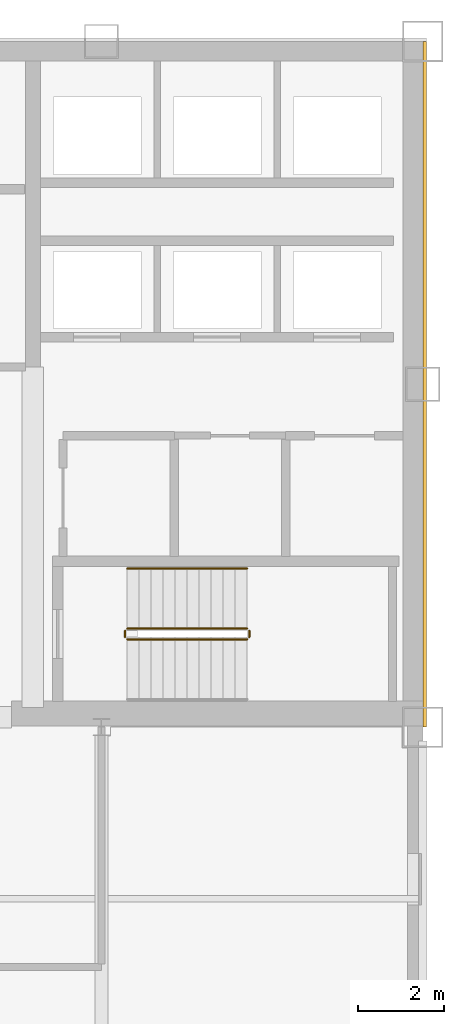
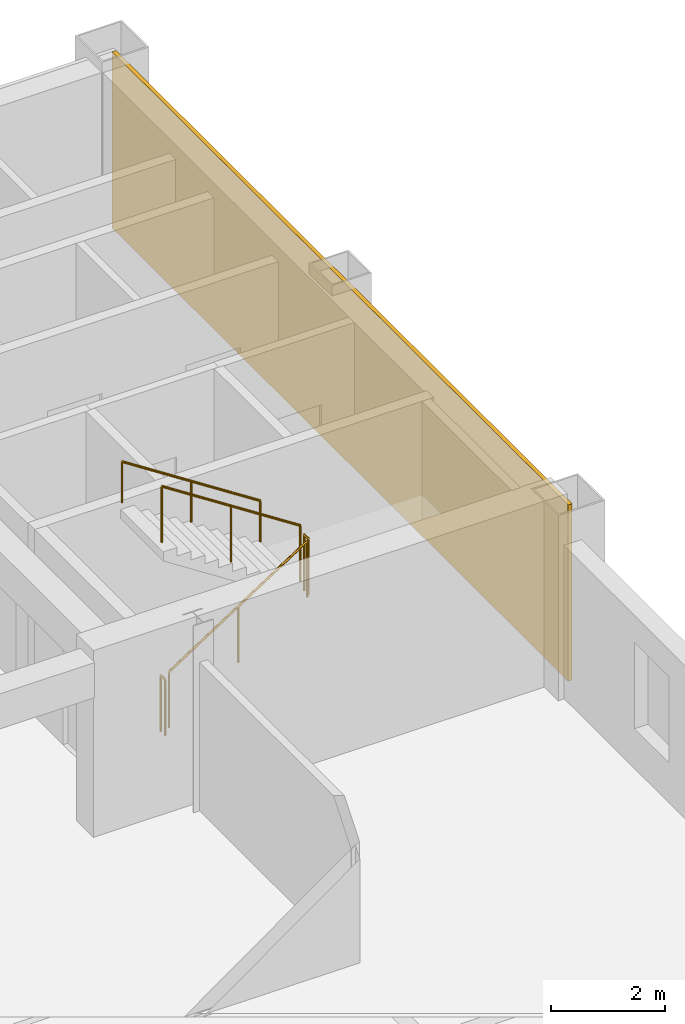
# One storey, part 8 of 10: 5 railings, 1 covering.
"""IFC4 building model written with IfcOpenShell, lengths in metres."""

from ifc_helpers import new_model, si_unit, direction, frame, origin, origin_2d, place, context, subcontext, project, spatial, rectangle, circle, extrude, material, layer, layer_set, type_object, element, save


model = new_model("IFC4")

# Units and contexts
model_context = context("Model", 3, precision=1e-05, world=origin(), true_north=direction((0.0, 1.0)))
body_context = subcontext(model_context, "Body", "Model", "MODEL_VIEW")
ifc_project = project(units=[si_unit("LENGTHUNIT", "METRE"), si_unit("AREAUNIT", "SQUARE_METRE"), si_unit("VOLUMEUNIT", "CUBIC_METRE"), si_unit("PLANEANGLEUNIT", "RADIAN"), si_unit("MASSUNIT", "GRAM", prefix="KILO")], contexts=[model_context])

# Site, building, storey
site_placement = place(None, origin())
site = spatial("IfcSite", under=ifc_project, at=site_placement, CompositionType="ELEMENT")
building_placement = place(site_placement, origin())
building = spatial("IfcBuilding", under=site, at=building_placement, Name="Qianrong Seaharbour Tower", CompositionType="ELEMENT")
storey_placement = place(building_placement, frame((0.0, 0.0, 225.800048828125)))
storey = spatial("IfcBuildingStorey", under=building, at=storey_placement, Name="L54", CompositionType="ELEMENT", Elevation=225.800048828125)

# Covering
ifc_material_1 = material(Name="Unitised red brick cladding on Precast concrete C45/55", Category="masonry")
ifc_layer = layer(ifc_material_1, 0.080078125)
ifc_layer_set = layer_set([ifc_layer], Name="Unitised red brick cladding on Precast concrete C45/55")
covering_type = type_object("IfcCoveringType", Name="COV-CLAD-RED-BRICK-80", PredefinedType="CLADDING", material=ifc_layer_set)
covering_placement = place(storey_placement, frame((64.0400390625, 44.0, 0.0), z_axis=(0.0, 0.0, 1.0), x_axis=(1.0, 0.0, 0.0)))
element("IfcCovering", 1, at=covering_placement, inside=storey, type_object=covering_type, Name="L54 East Core Brick Veneer Cladding", PredefinedType="CLADDING", context=body_context, shape_type="SweptSolid", body=[
    extrude(rectangle(XDim=0.080078125, YDim=16.0, at=origin_2d()), origin(), (0.0, 0.0, 1.0), 3.77490234375),
])

# Railings
ifc_material_2 = material(Name="Galvanized painted steel SN400B stair guard", Category="steel")
railing_type_1 = type_object("IfcRailingType", Name="RAIL-STAIR-GUARD-1220", PredefinedType="GUARDRAIL", material=ifc_material_2)
railing_1_placement = place(storey_placement, frame((57.10009765625, 38.050048828125, 0.181884765625)))
element("IfcRailing", 2, at=railing_1_placement, inside=storey, type_object=railing_type_1, Name="L54 ST-2 stair guard 1", PredefinedType="GUARDRAIL", context=body_context, shape_type="SweptSolid", body=[
    extrude(circle(Radius=0.02392578125, at=origin_2d()), frame((0.0, 0.0, 1.19580078125), z_axis=(0.83868413941, 0.0, 0.544618136222), x_axis=(0.0, 1.0, 0.0)), (0.0, 0.0, 1.0), 3.33837890625),
    extrude(circle(Radius=0.02099609375, at=origin_2d()), origin(), (0.0, 0.0, 1.0), 1.171875),
    extrude(circle(Radius=0.02099609375, at=origin_2d()), frame((1.39990234375, 0.0, 0.9091796875)), (0.0, 0.0, 1.0), 1.171875),
    extrude(circle(Radius=0.02099609375, at=origin_2d()), frame((2.7998046875, 0.0, 1.818115234375)), (0.0, 0.0, 1.0), 1.171875),
])
railing_2_placement = place(storey_placement, frame((59.949951171875, 38.10009765625, 2.0)))
element("IfcRailing", 3, at=railing_2_placement, inside=storey, type_object=railing_type_1, Name="L54 ST-2 stair guard 2", PredefinedType="GUARDRAIL", context=body_context, shape_type="SweptSolid", body=[
    extrude(circle(Radius=0.02392578125, at=origin_2d()), frame((0.0, 0.0, 1.19580078125), z_axis=(0.0, 1.0, 0.0), x_axis=(-1.0, 0.0, 0.0)), (0.0, 0.0, 1.0), 0.14990234375),
    extrude(circle(Radius=0.02099609375, at=origin_2d()), origin(), (0.0, 0.0, 1.0), 1.171875),
    extrude(circle(Radius=0.02099609375, at=origin_2d()), frame((0.0, 0.14990234375, 0.0)), (0.0, 0.0, 1.0), 1.171875),
])
railing_3_placement = place(storey_placement, frame((59.89990234375, 38.300048828125, 2.181884765625)))
element("IfcRailing", 4, at=railing_3_placement, inside=storey, type_object=railing_type_1, Name="L54 ST-2 stair guard 3", PredefinedType="GUARDRAIL", context=body_context, shape_type="SweptSolid", body=[
    extrude(circle(Radius=0.02392578125, at=origin_2d()), frame((0.0, 0.0, 1.19580078125), z_axis=(-0.83868413941, 0.0, 0.544618136222), x_axis=(0.0, -1.0, 0.0)), (0.0, 0.0, 1.0), 3.33837890625),
    extrude(circle(Radius=0.02099609375, at=origin_2d()), origin(), (0.0, 0.0, 1.0), 1.171875),
    extrude(circle(Radius=0.02099609375, at=origin_2d()), frame((-1.39990234375, 0.0, 0.9091796875)), (0.0, 0.0, 1.0), 1.171875),
    extrude(circle(Radius=0.02099609375, at=origin_2d()), frame((-2.7998046875, 0.0, 1.818115234375)), (0.0, 0.0, 1.0), 1.171875),
])
railing_4_placement = place(storey_placement, frame((57.050048828125, 38.10009765625, 0.0)))
element("IfcRailing", 5, at=railing_4_placement, inside=storey, type_object=railing_type_1, Name="L54 ST-2 stair guard 4", PredefinedType="GUARDRAIL", context=body_context, shape_type="SweptSolid", body=[
    extrude(circle(Radius=0.02392578125, at=origin_2d()), frame((0.0, 0.0, 1.19580078125), z_axis=(0.0, 1.0, 0.0), x_axis=(-1.0, 0.0, 0.0)), (0.0, 0.0, 1.0), 0.14990234375),
    extrude(circle(Radius=0.02099609375, at=origin_2d()), origin(), (0.0, 0.0, 1.0), 1.171875),
    extrude(circle(Radius=0.02099609375, at=origin_2d()), frame((0.0, 0.14990234375, 0.0)), (0.0, 0.0, 1.0), 1.171875),
])
ifc_material_3 = material(Name="Stainless steel SUS316L continuous handrail", Category="steel")
railing_type_2 = type_object("IfcRailingType", Name="RAIL-STAIR-HANDRAIL-900", PredefinedType="HANDRAIL", material=ifc_material_3)
railing_5_placement = place(storey_placement, frame((59.89990234375, 39.699951171875, 2.181884765625)))
element("IfcRailing", 6, at=railing_5_placement, inside=storey, type_object=railing_type_2, Name="L54 ST-2 stair handrail 2", PredefinedType="HANDRAIL", context=body_context, shape_type="SweptSolid", body=[
    extrude(circle(Radius=0.02392578125, at=origin_2d()), frame((0.0, 0.0, 0.8759765625), z_axis=(-0.83868413941, 0.0, 0.544618136222), x_axis=(0.0, -1.0, 0.0)), (0.0, 0.0, 1.0), 3.33837890625),
    extrude(circle(Radius=0.02099609375, at=origin_2d()), origin(), (0.0, 0.0, 1.0), 0.851806640625),
    extrude(circle(Radius=0.02099609375, at=origin_2d()), frame((-1.39990234375, 0.0, 0.9091796875)), (0.0, 0.0, 1.0), 0.851806640625),
    extrude(circle(Radius=0.02099609375, at=origin_2d()), frame((-2.7998046875, 0.0, 1.818115234375)), (0.0, 0.0, 1.0), 0.851806640625),
])

save(model, "model.ifc")
